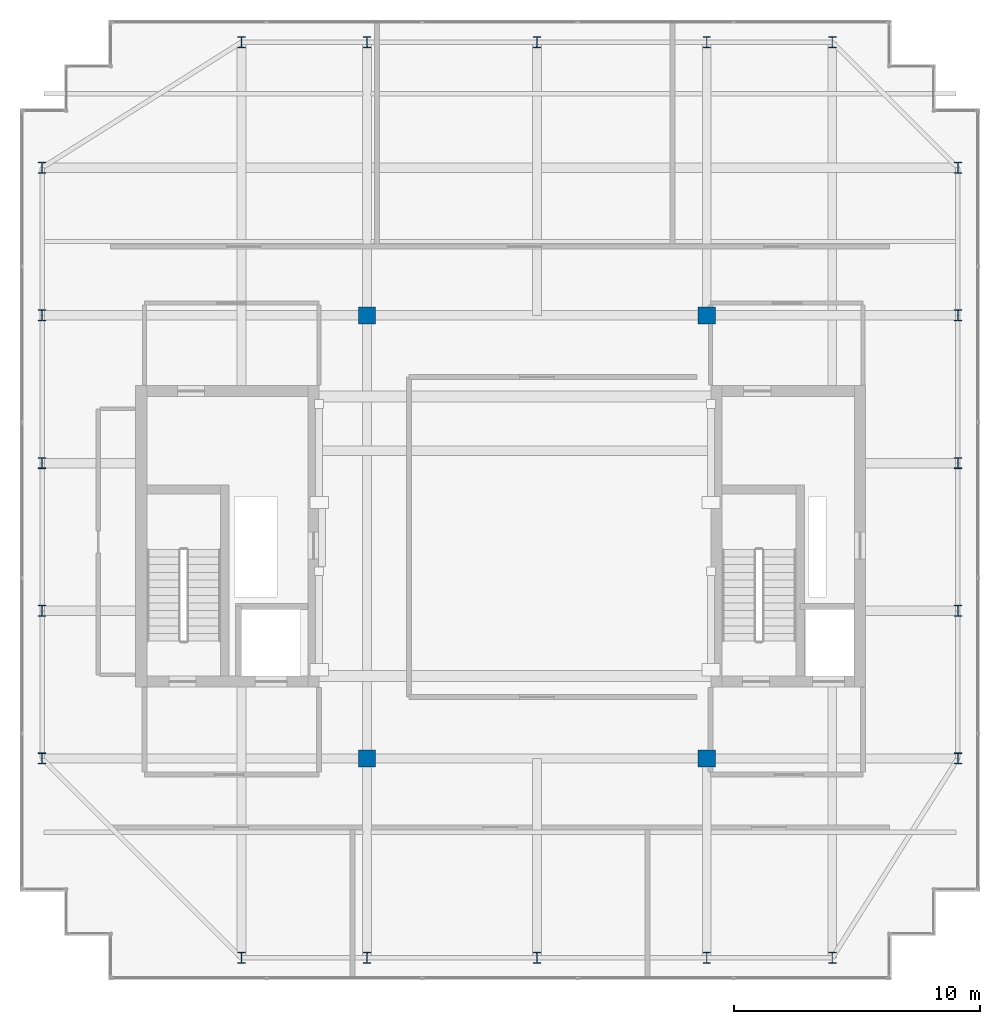
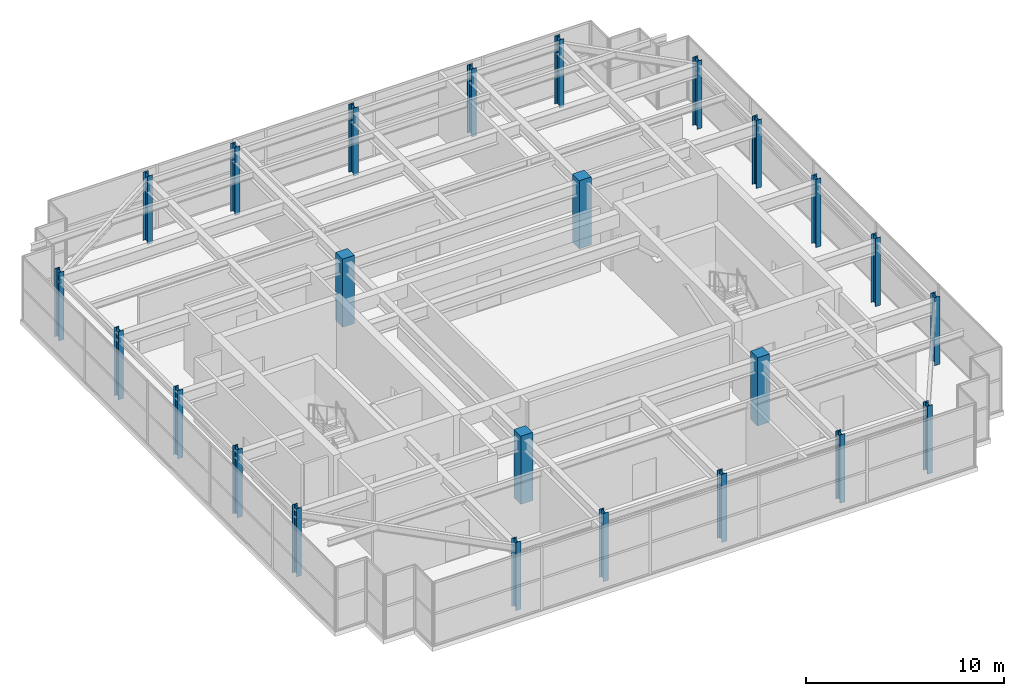
# One storey, part 1 of 32: 24 columns.
"""IFC4 building model written with IfcOpenShell, lengths in metres."""

from ifc_helpers import new_model, si_unit, direction, frame, origin, origin_2d, place, context, subcontext, project, spatial, rectangle, i_section, extrude, source, transform, mapped, material, material_profile, profile_set, type_object, element, save


model = new_model("IFC4")

# Units and contexts
model_context = context("Model", 3, precision=1e-05, world=origin(), true_north=direction((0.0, 1.0)))
body_context = subcontext(model_context, "Body", "Model", "MODEL_VIEW")
ifc_project = project(units=[si_unit("LENGTHUNIT", "METRE"), si_unit("AREAUNIT", "SQUARE_METRE"), si_unit("VOLUMEUNIT", "CUBIC_METRE"), si_unit("PLANEANGLEUNIT", "RADIAN"), si_unit("MASSUNIT", "GRAM", prefix="KILO")], contexts=[model_context])

# Site, building, storey
site_placement = place(None, origin())
site = spatial("IfcSite", under=ifc_project, at=site_placement, CompositionType="ELEMENT")
building_placement = place(site_placement, origin())
building = spatial("IfcBuilding", under=site, at=building_placement, Name="Khoralis Quay Care Tower", CompositionType="ELEMENT")
storey_placement = place(building_placement, frame((0.0, 0.0, 306.300048828125)))
storey = spatial("IfcBuildingStorey", under=building, at=storey_placement, Name="L80", CompositionType="ELEMENT", Elevation=306.300048828125)

# Columns
ifc_material_1 = material(Name="Concrete C50/60", Category="concrete")
ifc_material_profile_1 = material_profile(ifc_material_1, rectangle(XDim=0.699951171875, YDim=0.699951171875, at=origin_2d()), Name="Concrete C50/60")
ifc_profile_set_1 = profile_set([ifc_material_profile_1], Name="Concrete C50/60")
column_type_1 = type_object("IfcColumnType", Name="COL-C700", PredefinedType="COLUMN", material=ifc_profile_set_1)
shared_shape_1 = source(origin(), body_context, "Body", "SweptSolid", [
    extrude(rectangle(XDim=0.699951171875, YDim=0.699951171875, at=origin_2d()), origin(), (0.0, 0.0, 1.0), 4.199951171875),
])
for number, where, z_axis, x_axis, name in (
    (1, (17.10009765625, 12.0, 0.0), (0.0, 0.0, 1.0), (1.0, 0.0, 0.0), "COL-TWR-L80-21"),
    (2, (17.10009765625, 30.0, 0.0), (0.0, 0.0, 1.0), (1.0, 0.0, 0.0), "COL-TWR-L80-22"),
    (3, (30.89990234375, 12.0, 0.0), (0.0, 0.0, 1.0), (1.0, 0.0, 0.0), "COL-TWR-L80-23"),
    (4, (30.89990234375, 30.0, 0.0), (0.0, 0.0, 1.0), (1.0, 0.0, 0.0), "COL-TWR-L80-24"),
):
    element("IfcColumn", number, at=place(storey_placement, frame(where, z_axis=z_axis, x_axis=x_axis)), inside=storey, type_object=column_type_1, Name=name, PredefinedType="COLUMN", context=body_context, shape_type="MappedRepresentation", body=[
        mapped(shared_shape_1, transform((0.0, 0.0, 0.0), scale=1.0)),
    ])
ifc_material_2 = material(Name="Steel S355", Category="steel")
ifc_material_profile_2 = material_profile(ifc_material_2, i_section(OverallWidth=0.300048828125, OverallDepth=0.449951171875, WebThickness=0.013916015625, FlangeThickness=0.02587890625, FilletRadius=0.027099609375, at=origin_2d()), Name="Steel S355")
ifc_profile_set_2 = profile_set([ifc_material_profile_2], Name="Steel S355")
column_type_2 = type_object("IfcColumnType", Name="COL-LN-HEB450", PredefinedType="COLUMN", material=ifc_profile_set_2)
shared_shape_2 = source(origin(), body_context, "Body", "SweptSolid", [
    extrude(i_section(OverallWidth=0.300048828125, OverallDepth=0.449951171875, WebThickness=0.013916015625, FlangeThickness=0.02587890625, FilletRadius=0.027099609375, at=origin_2d()), origin(), (0.0, 0.0, 1.0), 4.199951171875),
])
for number, where, z_axis, x_axis, name in (
    (5, (12.0, 3.89990234375, 0.0), (0.0, 0.0, 1.0), (1.0, 0.0, 0.0), "COL-TWR-L80-01"),
    (6, (12.0, 41.10009765625, 0.0), (0.0, 0.0, 1.0), (1.0, 0.0, 0.0), "COL-TWR-L80-02"),
    (7, (17.10009765625, 3.89990234375, 0.0), (0.0, 0.0, 1.0), (1.0, 0.0, 0.0), "COL-TWR-L80-03"),
    (8, (17.10009765625, 41.10009765625, 0.0), (0.0, 0.0, 1.0), (1.0, 0.0, 0.0), "COL-TWR-L80-04"),
    (9, (24.0, 3.89990234375, 0.0), (0.0, 0.0, 1.0), (1.0, 0.0, 0.0), "COL-TWR-L80-05"),
    (10, (24.0, 41.10009765625, 0.0), (0.0, 0.0, 1.0), (1.0, 0.0, 0.0), "COL-TWR-L80-06"),
    (11, (30.89990234375, 3.89990234375, 0.0), (0.0, 0.0, 1.0), (1.0, 0.0, 0.0), "COL-TWR-L80-07"),
    (12, (30.89990234375, 41.10009765625, 0.0), (0.0, 0.0, 1.0), (1.0, 0.0, 0.0), "COL-TWR-L80-08"),
    (13, (36.0, 3.89990234375, 0.0), (0.0, 0.0, 1.0), (1.0, 0.0, 0.0), "COL-TWR-L80-09"),
    (14, (36.0, 41.10009765625, 0.0), (0.0, 0.0, 1.0), (1.0, 0.0, 0.0), "COL-TWR-L80-10"),
    (15, (3.89990234375, 12.0, 0.0), (0.0, 0.0, 1.0), (1.0, 0.0, 0.0), "COL-TWR-L80-11"),
    (16, (41.10009765625, 12.0, 0.0), (0.0, 0.0, 1.0), (1.0, 0.0, 0.0), "COL-TWR-L80-12"),
    (17, (3.89990234375, 18.0, 0.0), (0.0, 0.0, 1.0), (1.0, 0.0, 0.0), "COL-TWR-L80-13"),
    (18, (41.10009765625, 18.0, 0.0), (0.0, 0.0, 1.0), (1.0, 0.0, 0.0), "COL-TWR-L80-14"),
    (19, (3.89990234375, 24.0, 0.0), (0.0, 0.0, 1.0), (1.0, 0.0, 0.0), "COL-TWR-L80-15"),
    (20, (41.10009765625, 24.0, 0.0), (0.0, 0.0, 1.0), (1.0, 0.0, 0.0), "COL-TWR-L80-16"),
    (21, (3.89990234375, 30.0, 0.0), (0.0, 0.0, 1.0), (1.0, 0.0, 0.0), "COL-TWR-L80-17"),
    (22, (41.10009765625, 30.0, 0.0), (0.0, 0.0, 1.0), (1.0, 0.0, 0.0), "COL-TWR-L80-18"),
    (23, (3.89990234375, 36.0, 0.0), (0.0, 0.0, 1.0), (1.0, 0.0, 0.0), "COL-TWR-L80-19"),
    (24, (41.10009765625, 36.0, 0.0), (0.0, 0.0, 1.0), (1.0, 0.0, 0.0), "COL-TWR-L80-20"),
):
    element("IfcColumn", number, at=place(storey_placement, frame(where, z_axis=z_axis, x_axis=x_axis)), inside=storey, type_object=column_type_2, Name=name, PredefinedType="COLUMN", context=body_context, shape_type="MappedRepresentation", body=[
        mapped(shared_shape_2, transform((0.0, 0.0, 0.0), scale=1.0)),
    ])

save(model, "model.ifc")
